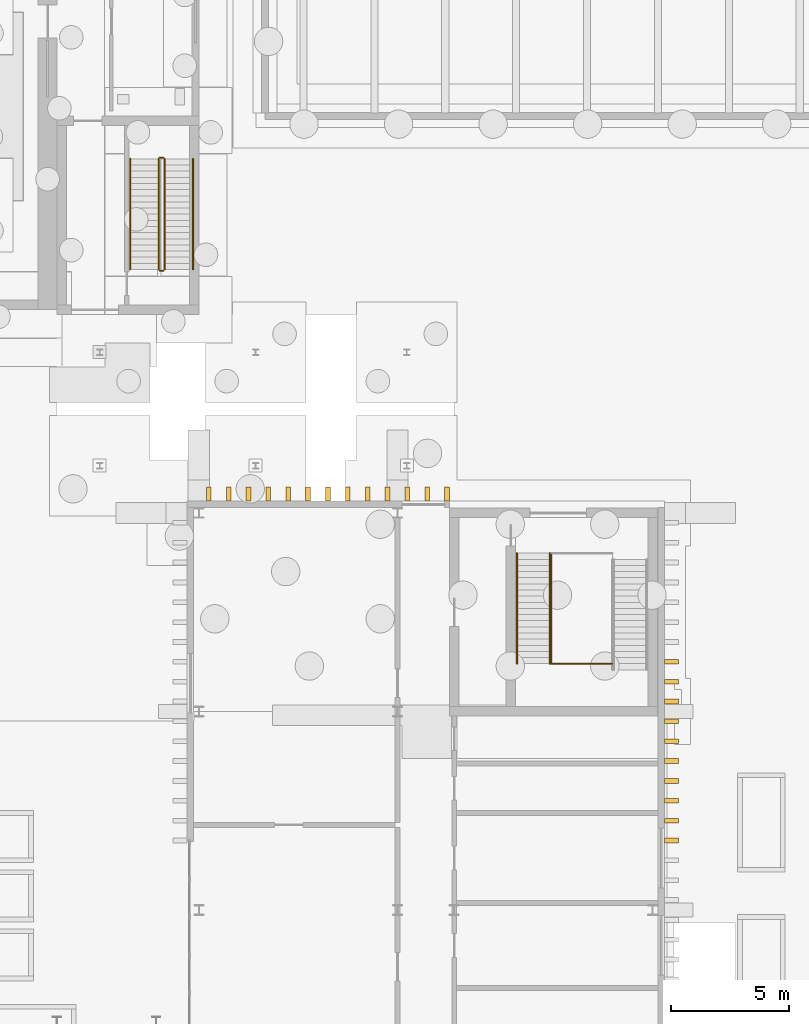
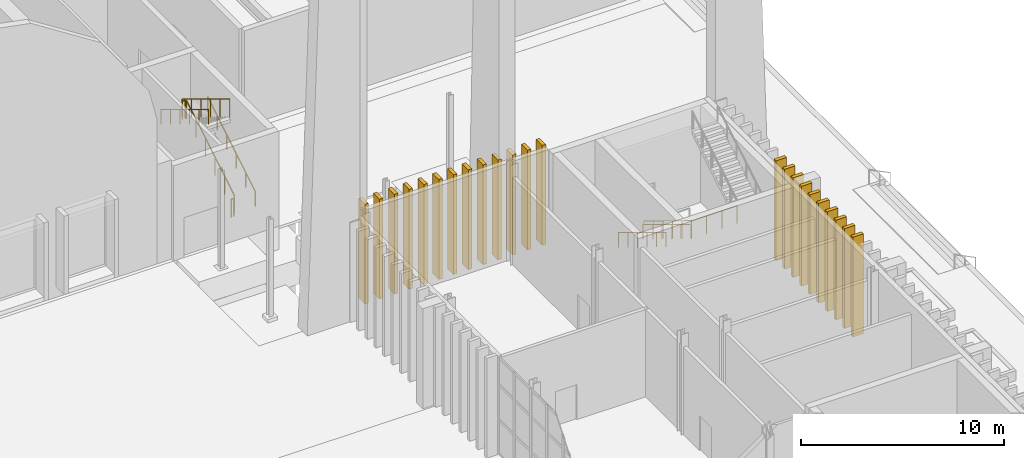
# One storey, part 102 of 108: 23 coverings, 10 railings.
"""IFC4 building model written with IfcOpenShell, lengths in metres."""

from ifc_helpers import new_model, si_unit, direction, frame, origin, origin_2d, place, context, subcontext, project, spatial, rectangle, circle, extrude, material, type_object, element, save


model = new_model("IFC4")

# Units and contexts
model_context = context("Model", 3, precision=1e-05, world=origin(), true_north=direction((0.0, 1.0)))
body_context = subcontext(model_context, "Body", "Model", "MODEL_VIEW")
ifc_project = project(units=[si_unit("LENGTHUNIT", "METRE"), si_unit("AREAUNIT", "SQUARE_METRE"), si_unit("VOLUMEUNIT", "CUBIC_METRE"), si_unit("PLANEANGLEUNIT", "RADIAN"), si_unit("MASSUNIT", "GRAM", prefix="KILO")], contexts=[model_context])

# Site, building, storey
site_placement = place(None, origin())
site = spatial("IfcSite", under=ifc_project, at=site_placement, CompositionType="ELEMENT")
building_placement = place(site_placement, origin())
building = spatial("IfcBuilding", under=site, at=building_placement, Name="Cresset Court Congress Hotel", CompositionType="ELEMENT")
storey_placement = place(building_placement, origin())
storey = spatial("IfcBuildingStorey", under=building, at=storey_placement, Name="L00", CompositionType="ELEMENT", Elevation=0.0)

# Railings
ifc_material_1 = material(Name="Stainless steel", Category="steel")
railing_type_1 = type_object("IfcRailingType", Name="Handrail 900", PredefinedType="HANDRAIL", material=ifc_material_1)
railing_1_placement = place(storey_placement, frame((156.949951171875, 77.5, 0.157958984375)))
element("IfcRailing", 1, at=railing_1_placement, inside=storey, type_object=railing_type_1, Name="L00 ST-E2 stair handrail 1", PredefinedType="HANDRAIL", context=body_context, shape_type="SweptSolid", body=[
    extrude(circle(Radius=0.02392578125, at=origin_2d()), frame((0.0, 0.0, 0.8759765625), z_axis=(0.0, 0.854734527071, 0.519065398802), x_axis=(-1.0, 0.0, 0.0)), (0.0, 0.0, 1.0), 5.475341796875),
    extrude(circle(Radius=0.02099609375, at=origin_2d()), origin(), (0.0, 0.0, 1.0), 0.851806640625),
    extrude(circle(Radius=0.02099609375, at=origin_2d()), frame((0.0, 0.93603515625, 0.568359375)), (0.0, 0.0, 1.0), 0.851806640625),
    extrude(circle(Radius=0.02099609375, at=origin_2d()), frame((0.0, 1.8720703125, 1.13671875)), (0.0, 0.0, 1.0), 0.851806640625),
    extrude(circle(Radius=0.02099609375, at=origin_2d()), frame((0.0, 2.807861328125, 1.705322265625)), (0.0, 0.0, 1.0), 0.851806640625),
    extrude(circle(Radius=0.02099609375, at=origin_2d()), frame((0.0, 3.743896484375, 2.273681640625)), (0.0, 0.0, 1.0), 0.851806640625),
    extrude(circle(Radius=0.02099609375, at=origin_2d()), frame((0.0, 4.679931640625, 2.842041015625)), (0.0, 0.0, 1.0), 0.851806640625),
])
railing_2_placement = place(storey_placement, frame((154.300048828125, 82.179931640625, 3.157958984375)))
element("IfcRailing", 2, at=railing_2_placement, inside=storey, type_object=railing_type_1, Name="L00 ST-E2 stair handrail 2", PredefinedType="HANDRAIL", context=body_context, shape_type="SweptSolid", body=[
    extrude(circle(Radius=0.02392578125, at=origin_2d()), frame((0.0, 0.0, 0.8759765625), z_axis=(0.0, -0.854734527071, 0.519065398802), x_axis=(1.0, 0.0, 0.0)), (0.0, 0.0, 1.0), 5.475341796875),
    extrude(circle(Radius=0.02099609375, at=origin_2d()), origin(), (0.0, 0.0, 1.0), 0.851806640625),
    extrude(circle(Radius=0.02099609375, at=origin_2d()), frame((0.0, -0.93603515625, 0.568359375)), (0.0, 0.0, 1.0), 0.851806640625),
    extrude(circle(Radius=0.02099609375, at=origin_2d()), frame((0.0, -1.8720703125, 1.13671875)), (0.0, 0.0, 1.0), 0.851806640625),
    extrude(circle(Radius=0.02099609375, at=origin_2d()), frame((0.0, -2.807861328125, 1.705322265625)), (0.0, 0.0, 1.0), 0.851806640625),
    extrude(circle(Radius=0.02099609375, at=origin_2d()), frame((0.0, -3.743896484375, 2.273681640625)), (0.0, 0.0, 1.0), 0.851806640625),
    extrude(circle(Radius=0.02099609375, at=origin_2d()), frame((0.0, -4.679931640625, 2.842041015625)), (0.0, 0.0, 1.0), 0.851806640625),
])

# Coverings
ifc_material_2 = material(Name="Precast concrete C50", Category="concrete")
covering_type = type_object("IfcCoveringType", Name="Precast stone fin 200x600", PredefinedType="CLADDING", material=ifc_material_2)
for number, where, z_axis, x_axis, name in (
    (3, (177.199951171875, 53.340087890625, 0.0), (0.0, 0.0, 1.0), (1.0, 0.0, 0.0), "Fin E064"),
    (4, (177.199951171875, 54.179931640625, 0.0), (0.0, 0.0, 1.0), (1.0, 0.0, 0.0), "Fin E065"),
    (5, (177.199951171875, 55.02001953125, 0.0), (0.0, 0.0, 1.0), (1.0, 0.0, 0.0), "Fin E066"),
    (6, (177.199951171875, 55.860107421875, 0.0), (0.0, 0.0, 1.0), (1.0, 0.0, 0.0), "Fin E067"),
    (7, (177.199951171875, 56.699951171875, 0.0), (0.0, 0.0, 1.0), (1.0, 0.0, 0.0), "Fin E068"),
    (8, (177.199951171875, 57.5400390625, 0.0), (0.0, 0.0, 1.0), (1.0, 0.0, 0.0), "Fin E069"),
    (9, (177.199951171875, 58.3798828125, 0.0), (0.0, 0.0, 1.0), (1.0, 0.0, 0.0), "Fin E070"),
    (10, (177.199951171875, 59.219970703125, 0.0), (0.0, 0.0, 1.0), (1.0, 0.0, 0.0), "Fin E071"),
    (11, (177.199951171875, 60.06005859375, 0.0), (0.0, 0.0, 1.0), (1.0, 0.0, 0.0), "Fin E072"),
    (12, (177.199951171875, 60.89990234375, 0.0), (0.0, 0.0, 1.0), (1.0, 0.0, 0.0), "Fin E073"),
):
    element("IfcCovering", number, at=place(storey_placement, frame(where, z_axis=z_axis, x_axis=x_axis)), inside=storey, type_object=covering_type, Name=name, PredefinedType="CLADDING", context=body_context, shape_type="SweptSolid", body=[
        extrude(rectangle(XDim=0.60009765625, YDim=0.199951171875, at=origin_2d()), origin(), (0.0, 0.0, 1.0), 6.0),
    ])
for number, where, z_axis, x_axis, name in (
    (13, (157.6201171875, 68.0, 0.0), (0.0, 0.0, 1.0), (1.0, 0.0, 0.0), "Fin N001"),
    (14, (158.4599609375, 68.0, 0.0), (0.0, 0.0, 1.0), (1.0, 0.0, 0.0), "Fin N002"),
    (15, (159.300048828125, 68.0, 0.0), (0.0, 0.0, 1.0), (1.0, 0.0, 0.0), "Fin N003"),
    (16, (160.139892578125, 68.0, 0.0), (0.0, 0.0, 1.0), (1.0, 0.0, 0.0), "Fin N004"),
    (17, (160.97998046875, 68.0, 0.0), (0.0, 0.0, 1.0), (1.0, 0.0, 0.0), "Fin N005"),
    (18, (161.820068359375, 68.0, 0.0), (0.0, 0.0, 1.0), (1.0, 0.0, 0.0), "Fin N006"),
    (19, (162.659912109375, 68.0, 0.0), (0.0, 0.0, 1.0), (1.0, 0.0, 0.0), "Fin N007"),
    (20, (163.5, 68.0, 0.0), (0.0, 0.0, 1.0), (1.0, 0.0, 0.0), "Fin N008"),
    (21, (164.340087890625, 68.0, 0.0), (0.0, 0.0, 1.0), (1.0, 0.0, 0.0), "Fin N009"),
    (22, (165.179931640625, 68.0, 0.0), (0.0, 0.0, 1.0), (1.0, 0.0, 0.0), "Fin N010"),
    (23, (166.02001953125, 68.0, 0.0), (0.0, 0.0, 1.0), (1.0, 0.0, 0.0), "Fin N011"),
    (24, (166.860107421875, 68.0, 0.0), (0.0, 0.0, 1.0), (1.0, 0.0, 0.0), "Fin N012"),
    (25, (167.699951171875, 68.0, 0.0), (0.0, 0.0, 1.0), (1.0, 0.0, 0.0), "Fin N013"),
):
    element("IfcCovering", number, at=place(storey_placement, frame(where, z_axis=z_axis, x_axis=x_axis)), inside=storey, type_object=covering_type, Name=name, PredefinedType="CLADDING", context=body_context, shape_type="SweptSolid", body=[
        extrude(rectangle(XDim=0.199951171875, YDim=0.60009765625, at=origin_2d()), origin(), (0.0, 0.0, 1.0), 6.0),
    ])

# Railings
ifc_material_3 = material(Name="Stainless steel", Category="steel")
railing_type_2 = type_object("IfcRailingType", Name="Stair guard 1100", PredefinedType="GUARDRAIL", material=ifc_material_3)
railing_3_placement = place(storey_placement, frame((172.10009765625, 65.5, 0.157958984375)))
element("IfcRailing", 26, at=railing_3_placement, inside=storey, type_object=railing_type_2, Name="Guard A2 L00", PredefinedType="GUARDRAIL", context=body_context, shape_type="SweptSolid", body=[
    extrude(circle(Radius=0.02392578125, at=origin_2d()), frame((0.0, 0.0, 1.076171875), z_axis=(0.0, -0.854734527071, 0.519065398802), x_axis=(1.0, 0.0, 0.0)), (0.0, 0.0, 1.0), 5.475341796875),
    extrude(circle(Radius=0.02099609375, at=origin_2d()), origin(), (0.0, 0.0, 1.0), 1.052001953125),
    extrude(circle(Radius=0.02099609375, at=origin_2d()), frame((0.0, -0.93603515625, 0.568359375)), (0.0, 0.0, 1.0), 1.052001953125),
    extrude(circle(Radius=0.02099609375, at=origin_2d()), frame((0.0, -1.8720703125, 1.13671875)), (0.0, 0.0, 1.0), 1.052001953125),
    extrude(circle(Radius=0.02099609375, at=origin_2d()), frame((0.0, -2.807861328125, 1.705322265625)), (0.0, 0.0, 1.0), 1.052001953125),
    extrude(circle(Radius=0.02099609375, at=origin_2d()), frame((0.0, -3.743896484375, 2.273681640625)), (0.0, 0.0, 1.0), 1.052001953125),
    extrude(circle(Radius=0.02099609375, at=origin_2d()), frame((0.0, -4.679931640625, 2.842041015625)), (0.0, 0.0, 1.0), 1.052001953125),
])
railing_4_placement = place(storey_placement, frame((172.10009765625, 60.820068359375, 3.0)))
element("IfcRailing", 27, at=railing_4_placement, inside=storey, type_object=railing_type_2, Name="Guard A2 L00", PredefinedType="GUARDRAIL", context=body_context, shape_type="SweptSolid", body=[
    extrude(circle(Radius=0.02392578125, at=origin_2d()), frame((0.0, 0.0, 1.076171875), z_axis=(1.0, 0.0, 0.0), x_axis=(0.0, 1.0, 0.0)), (0.0, 0.0, 1.0), 2.599853515625),
    extrude(circle(Radius=0.02099609375, at=origin_2d()), origin(), (0.0, 0.0, 1.0), 1.052001953125),
    extrude(circle(Radius=0.02099609375, at=origin_2d()), frame((0.86669921875, 0.0, 0.0)), (0.0, 0.0, 1.0), 1.052001953125),
    extrude(circle(Radius=0.02099609375, at=origin_2d()), frame((1.733154296875, 0.0, 0.0)), (0.0, 0.0, 1.0), 1.052001953125),
    extrude(circle(Radius=0.02099609375, at=origin_2d()), frame((2.599853515625, 0.0, 0.0)), (0.0, 0.0, 1.0), 1.052001953125),
])
ifc_material_4 = material(Name="Stainless steel", Category="steel")
railing_type_3 = type_object("IfcRailingType", Name="Stair guard 1100 internal", PredefinedType="GUARDRAIL", material=ifc_material_4)
railing_5_placement = place(storey_placement, frame((155.75, 77.5, 0.157958984375)))
element("IfcRailing", 28, at=railing_5_placement, inside=storey, type_object=railing_type_3, Name="L00 ST-E2 stair guard 1", PredefinedType="GUARDRAIL", context=body_context, shape_type="SweptSolid", body=[
    extrude(circle(Radius=0.02392578125, at=origin_2d()), frame((0.0, 0.0, 1.076171875), z_axis=(0.0, 0.854734527071, 0.519065398802), x_axis=(-1.0, 0.0, 0.0)), (0.0, 0.0, 1.0), 5.475341796875),
    extrude(circle(Radius=0.02099609375, at=origin_2d()), origin(), (0.0, 0.0, 1.0), 1.052001953125),
    extrude(circle(Radius=0.02099609375, at=origin_2d()), frame((0.0, 0.93603515625, 0.568359375)), (0.0, 0.0, 1.0), 1.052001953125),
    extrude(circle(Radius=0.02099609375, at=origin_2d()), frame((0.0, 1.8720703125, 1.13671875)), (0.0, 0.0, 1.0), 1.052001953125),
    extrude(circle(Radius=0.02099609375, at=origin_2d()), frame((0.0, 2.807861328125, 1.705322265625)), (0.0, 0.0, 1.0), 1.052001953125),
    extrude(circle(Radius=0.02099609375, at=origin_2d()), frame((0.0, 3.743896484375, 2.273681640625)), (0.0, 0.0, 1.0), 1.052001953125),
    extrude(circle(Radius=0.02099609375, at=origin_2d()), frame((0.0, 4.679931640625, 2.842041015625)), (0.0, 0.0, 1.0), 1.052001953125),
])
railing_6_placement = place(storey_placement, frame((155.699951171875, 82.22998046875, 3.0)))
element("IfcRailing", 29, at=railing_6_placement, inside=storey, type_object=railing_type_3, Name="L00 ST-E2 stair guard 2", PredefinedType="GUARDRAIL", context=body_context, shape_type="SweptSolid", body=[
    extrude(circle(Radius=0.02392578125, at=origin_2d()), frame((0.0, 0.0, 1.076171875), z_axis=(-1.0, 0.0, 0.0), x_axis=(0.0, -1.0, 0.0)), (0.0, 0.0, 1.0), 0.14990234375),
    extrude(circle(Radius=0.02099609375, at=origin_2d()), origin(), (0.0, 0.0, 1.0), 1.052001953125),
    extrude(circle(Radius=0.02099609375, at=origin_2d()), frame((-0.14990234375, 0.0, 0.0)), (0.0, 0.0, 1.0), 1.052001953125),
])
railing_7_placement = place(storey_placement, frame((155.5, 82.179931640625, 3.157958984375)))
element("IfcRailing", 30, at=railing_7_placement, inside=storey, type_object=railing_type_3, Name="L00 ST-E2 stair guard 3", PredefinedType="GUARDRAIL", context=body_context, shape_type="SweptSolid", body=[
    extrude(circle(Radius=0.02392578125, at=origin_2d()), frame((0.0, 0.0, 1.076171875), z_axis=(0.0, -0.854734527071, 0.519065398802), x_axis=(1.0, 0.0, 0.0)), (0.0, 0.0, 1.0), 5.475341796875),
    extrude(circle(Radius=0.02099609375, at=origin_2d()), origin(), (0.0, 0.0, 1.0), 1.052001953125),
    extrude(circle(Radius=0.02099609375, at=origin_2d()), frame((0.0, -0.93603515625, 0.568359375)), (0.0, 0.0, 1.0), 1.052001953125),
    extrude(circle(Radius=0.02099609375, at=origin_2d()), frame((0.0, -1.8720703125, 1.13671875)), (0.0, 0.0, 1.0), 1.052001953125),
    extrude(circle(Radius=0.02099609375, at=origin_2d()), frame((0.0, -2.807861328125, 1.705322265625)), (0.0, 0.0, 1.0), 1.052001953125),
    extrude(circle(Radius=0.02099609375, at=origin_2d()), frame((0.0, -3.743896484375, 2.273681640625)), (0.0, 0.0, 1.0), 1.052001953125),
    extrude(circle(Radius=0.02099609375, at=origin_2d()), frame((0.0, -4.679931640625, 2.842041015625)), (0.0, 0.0, 1.0), 1.052001953125),
])
railing_8_placement = place(storey_placement, frame((155.699951171875, 77.449951171875, 0.0)))
element("IfcRailing", 31, at=railing_8_placement, inside=storey, type_object=railing_type_3, Name="L00 ST-E2 stair guard 4", PredefinedType="GUARDRAIL", context=body_context, shape_type="SweptSolid", body=[
    extrude(circle(Radius=0.02392578125, at=origin_2d()), frame((0.0, 0.0, 1.076171875), z_axis=(-1.0, 0.0, 0.0), x_axis=(0.0, -1.0, 0.0)), (0.0, 0.0, 1.0), 0.14990234375),
    extrude(circle(Radius=0.02099609375, at=origin_2d()), origin(), (0.0, 0.0, 1.0), 1.052001953125),
    extrude(circle(Radius=0.02099609375, at=origin_2d()), frame((-0.14990234375, 0.0, 0.0)), (0.0, 0.0, 1.0), 1.052001953125),
])
ifc_material_5 = material(Name="Stainless steel", Category="steel")
railing_type_4 = type_object("IfcRailingType", Name="Stair handrail 900", PredefinedType="HANDRAIL", material=ifc_material_5)
for number, where, name in (
    (32, (170.659912109375, 65.5, 0.157958984375), "Handrail A2 L00"),
    (33, (172.0400390625, 65.5, 0.157958984375), "Handrail A2 L00"),
):
    element("IfcRailing", number, at=place(storey_placement, frame(where)), inside=storey, type_object=railing_type_4, Name=name, PredefinedType="HANDRAIL", context=body_context, shape_type="SweptSolid", body=[
        extrude(circle(Radius=0.02392578125, at=origin_2d()), frame((0.0, 0.0, 0.8759765625), z_axis=(0.0, -0.854734527071, 0.519065398802), x_axis=(1.0, 0.0, 0.0)), (0.0, 0.0, 1.0), 5.475341796875),
        extrude(circle(Radius=0.02099609375, at=origin_2d()), origin(), (0.0, 0.0, 1.0), 0.851806640625),
        extrude(circle(Radius=0.02099609375, at=origin_2d()), frame((0.0, -0.93603515625, 0.568359375)), (0.0, 0.0, 1.0), 0.851806640625),
        extrude(circle(Radius=0.02099609375, at=origin_2d()), frame((0.0, -1.8720703125, 1.13671875)), (0.0, 0.0, 1.0), 0.851806640625),
        extrude(circle(Radius=0.02099609375, at=origin_2d()), frame((0.0, -2.807861328125, 1.705322265625)), (0.0, 0.0, 1.0), 0.851806640625),
        extrude(circle(Radius=0.02099609375, at=origin_2d()), frame((0.0, -3.743896484375, 2.273681640625)), (0.0, 0.0, 1.0), 0.851806640625),
        extrude(circle(Radius=0.02099609375, at=origin_2d()), frame((0.0, -4.679931640625, 2.842041015625)), (0.0, 0.0, 1.0), 0.851806640625),
    ])

save(model, "model.ifc")
